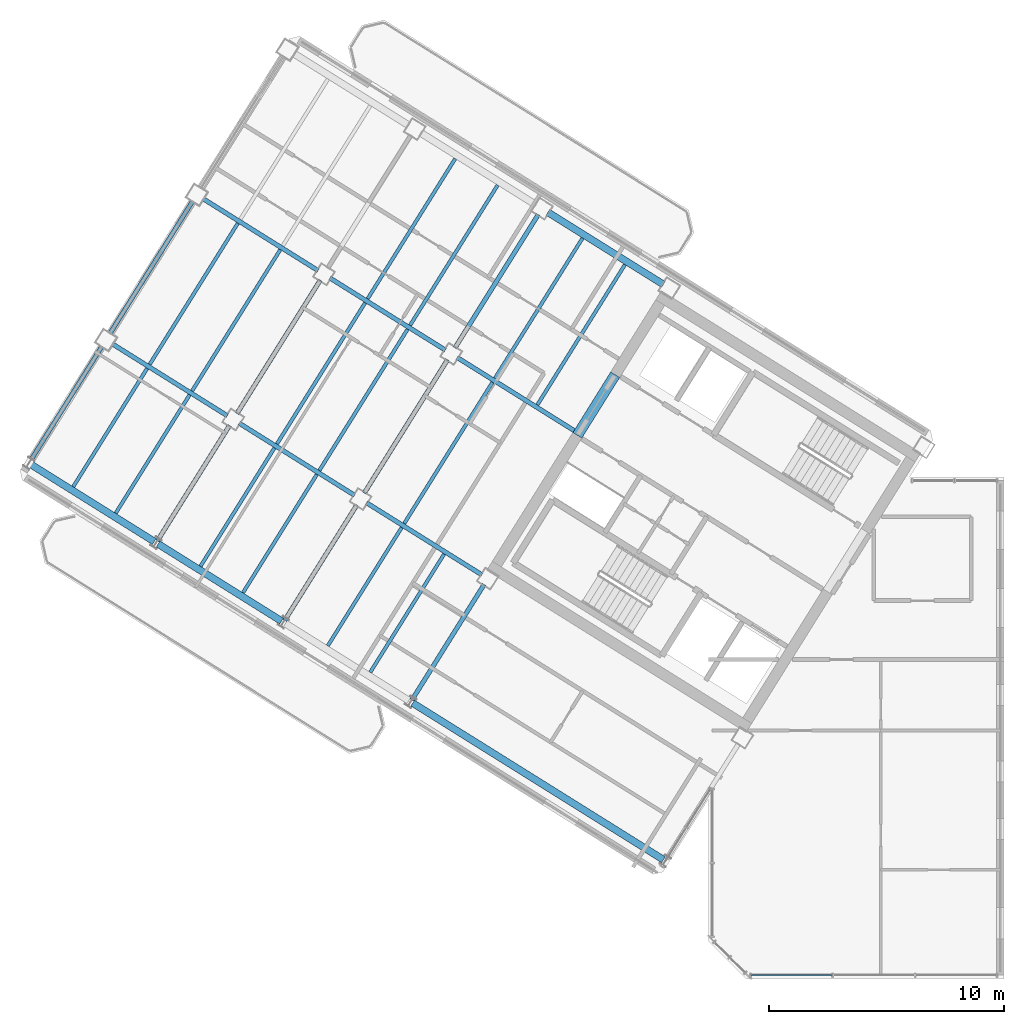
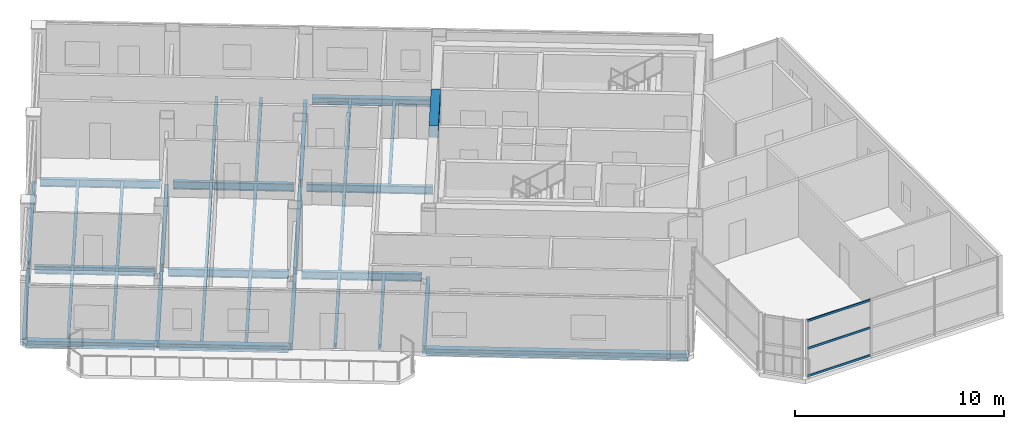
# One storey, part 4 of 17: 34 beams, 3 members, 1 element without a shape of its own.
"""IFC4 building model written with IfcOpenShell, lengths in metres."""

import ifcopenshell
import ifcopenshell.guid

model = None  # the IFC model being written
_history = None  # IfcOwnerHistory: only IFC2X3 demands one
_inside = {}  # id of a spatial element -> (the spatial element, [elements in it])
_under = {}  # id of a project, library or spatial element -> (it, [spatial elements below it])
_declared = {}  # id of a project -> (the project, [libraries it declares])
_typed = {}  # id of a type object -> (the type object, [elements of that type])
_made_of = {}  # id of a material, layer set ... -> (it, [elements and type objects made of it])


def new_model(schema):
    """Start an empty IFC model of exactly this schema.

    Asked for "IFC4X3", IfcOpenShell would pick the latest addendum, in which some entities
    have other attributes; the version numbers below select the first issue.
    IFC2X3 requires an IfcOwnerHistory on every rooted entity: one is made here for all.
    """
    global model, _history
    if schema == "IFC4X3":
        model = ifcopenshell.file(schema_version=(4, 3, 0, 0))
    else:
        model = ifcopenshell.file(schema=schema)
    _inside.clear()
    _under.clear()
    _declared.clear()
    _typed.clear()
    _made_of.clear()
    _history = None
    if model.schema == "IFC2X3":
        org = make("IfcOrganization", Name="unknown")
        user = make(
            "IfcPersonAndOrganization",
            ThePerson=make("IfcPerson", FamilyName="unknown"),
            TheOrganization=org,
        )
        app = make(
            "IfcApplication",
            ApplicationDeveloper=org,
            Version="unknown",
            ApplicationFullName="unknown",
            ApplicationIdentifier="unknown",
        )
        _history = make(
            "IfcOwnerHistory",
            OwningUser=user,
            OwningApplication=app,
            ChangeAction="ADDED",
            CreationDate=0,
        )
    return model


def make(cls, **values):
    """One entity of the class cls with the attributes given. An attribute that is None is left unset."""
    return model.create_entity(
        cls, **{name: value for name, value in values.items() if value is not None}
    )


def rooted(cls, **values):
    """An entity with a GlobalId (a new one), such as an element, a storey or a relation."""
    return make(cls, GlobalId=ifcopenshell.guid.new(), OwnerHistory=_history, **values)


def si_unit(unit_type, name, prefix=None):
    """IfcSIUnit, for example si_unit("LENGTHUNIT", "METRE", prefix="MILLI")."""
    return make("IfcSIUnit", UnitType=unit_type, Prefix=prefix, Name=name)


def assignment(units):
    """IfcUnitAssignment: the units of a project."""
    return None if units is None else make("IfcUnitAssignment", Units=units)


def point(xyz):
    """IfcCartesianPoint."""
    return None if xyz is None else make("IfcCartesianPoint", Coordinates=xyz)


def direction(xyz):
    """IfcDirection."""
    return None if xyz is None else make("IfcDirection", DirectionRatios=xyz)


def frame(location, z_axis=None, x_axis=None):
    """IfcAxis2Placement3D, a coordinate frame: its origin and axes. An axis left out is left unset."""
    return make(
        "IfcAxis2Placement3D",
        Location=point(location),
        Axis=direction(z_axis),
        RefDirection=direction(x_axis),
    )


def frame_2d(location, x_axis=None):
    """IfcAxis2Placement2D, a coordinate frame in the plane: its origin and x axis."""
    return make(
        "IfcAxis2Placement2D", Location=point(location), RefDirection=direction(x_axis)
    )


def origin():
    """The frame at (0, 0, 0) with its axes left unset."""
    return frame((0.0, 0.0, 0.0))


def origin_2d():
    """The frame at (0, 0) in the plane with its x axis left unset."""
    return frame_2d((0.0, 0.0))


def place(relative_to, where):
    """IfcLocalPlacement: puts the frame where relative to a parent placement (None: the world)."""
    return make(
        "IfcLocalPlacement", PlacementRelTo=relative_to, RelativePlacement=where
    )


def context(
    kind, dimensions, precision=None, world=None, true_north=None, identifier=None
):
    """IfcGeometricRepresentationContext, for example the 3D "Model" context."""
    return make(
        "IfcGeometricRepresentationContext",
        ContextIdentifier=identifier,
        ContextType=kind,
        CoordinateSpaceDimension=dimensions,
        Precision=precision,
        WorldCoordinateSystem=world,
        TrueNorth=true_north,
    )


def subcontext(parent, identifier, kind, view, scale=None):
    """IfcGeometricRepresentationSubContext, for example "Body" below "Model"."""
    return make(
        "IfcGeometricRepresentationSubContext",
        ContextIdentifier=identifier,
        ContextType=kind,
        ParentContext=parent,
        TargetScale=scale,
        TargetView=view,
    )


def project(units=None, contexts=None):
    """IfcProject with its units and contexts."""
    return rooted(
        "IfcProject",
        Name="project",
        RepresentationContexts=contexts,
        UnitsInContext=assignment(units),
    )


def spatial(cls, under=None, at=None, **own):
    """A site, building, storey or space (cls), placed at a placement, below another one or the project."""
    s = rooted(cls, ObjectPlacement=at, **own)
    if under is not None:
        _under.setdefault(under.id(), (under, []))[1].append(s)
    return s


def profile(cls, at=None, kind="AREA", **sizes):
    """A parametric profile (cls). Its sizes go by their IFC names, for example OverallWidth=200.0."""
    return make(cls, ProfileType=kind, Position=at, **sizes)


def rectangle(**sizes):
    """IfcRectangleProfileDef."""
    return profile("IfcRectangleProfileDef", **sizes)


def hollow_rectangle(**sizes):
    """IfcRectangleHollowProfileDef."""
    return profile("IfcRectangleHollowProfileDef", **sizes)


def i_section(**sizes):
    """IfcIShapeProfileDef."""
    return profile("IfcIShapeProfileDef", **sizes)


def extrude(swept, where, along, depth):
    """IfcExtrudedAreaSolid: the profile swept, set in the frame where, extruded along a direction by depth."""
    return make(
        "IfcExtrudedAreaSolid",
        SweptArea=swept,
        Position=where,
        ExtrudedDirection=direction(along),
        Depth=depth,
    )


def shape(context_of_items, identifier, shape_type, items):
    """IfcShapeRepresentation: the items that make up one representation, for example the "Body"."""
    return make(
        "IfcShapeRepresentation",
        ContextOfItems=context_of_items,
        RepresentationIdentifier=identifier,
        RepresentationType=shape_type,
        Items=items,
    )


def source(mapping_origin, context_of_items, identifier, shape_type, items):
    """IfcRepresentationMap: a shape defined once, which mapped items show again and again."""
    return make(
        "IfcRepresentationMap",
        MappingOrigin=mapping_origin,
        MappedRepresentation=shape(context_of_items, identifier, shape_type, items),
    )


def transform(
    local_origin,
    x_axis=None,
    y_axis=None,
    z_axis=None,
    scale=None,
    scale2=None,
    scale3=None,
    uniform=True,
):
    """IfcCartesianTransformationOperator3D, or its non-uniform kind. x_axis, y_axis, z_axis: its Axis1, 2, 3."""
    if uniform:
        return make(
            "IfcCartesianTransformationOperator3D",
            Axis1=direction(x_axis),
            Axis2=direction(y_axis),
            LocalOrigin=point(local_origin),
            Scale=scale,
            Axis3=direction(z_axis),
        )
    return make(
        "IfcCartesianTransformationOperator3DnonUniform",
        Axis1=direction(x_axis),
        Axis2=direction(y_axis),
        LocalOrigin=point(local_origin),
        Scale=scale,
        Axis3=direction(z_axis),
        Scale2=scale2,
        Scale3=scale3,
    )


def mapped(mapping_source, mapping_target):
    """IfcMappedItem: shows the shape of a source again, moved by a transform."""
    return make(
        "IfcMappedItem", MappingSource=mapping_source, MappingTarget=mapping_target
    )


def material(Name=None, Category=None):
    """IfcMaterial."""
    return make("IfcMaterial", Name=Name, Category=Category)


def material_profile(
    of_material, cross_section, Name=None, Category=None, Priority=None
):
    """IfcMaterialProfile: a cross section and its material."""
    return make(
        "IfcMaterialProfile",
        Name=Name,
        Material=of_material,
        Profile=cross_section,
        Priority=Priority,
        Category=Category,
    )


def profile_set(profiles, Name=None, composite=None):
    """IfcMaterialProfileSet."""
    return make(
        "IfcMaterialProfileSet",
        Name=Name,
        MaterialProfiles=profiles,
        CompositeProfile=composite,
    )


def made_of(thing, what):
    """Note that an element or type object is made of a material, layer set ...; save() writes the relation."""
    if what is not None:
        _made_of.setdefault(what.id(), (what, []))[1].append(thing)
    return thing


def type_object(cls, material=None, **own):
    """A type object (cls), such as IfcWallType, which elements share."""
    return made_of(rooted(cls, **own), material)


def element(
    cls,
    number,
    at=None,
    inside=None,
    cuts=None,
    type_object=None,
    material=None,
    context=None,
    identifier="Body",
    shape_type=None,
    held_by="IfcProductDefinitionShape",
    body=None,
    shapes=None,
    **own,
):
    """One element of the class cls, such as IfcWall. Its Tag is "e" and its number.

    at: its placement. inside: the storey or other place that contains it. cuts: it is an
    opening in that element (IfcRelVoidsElement). A single representation is given by context,
    identifier, shape_type and body (its items); several are given by shapes. held_by: the class
    of the entity that holds the representations. save() writes the other relations.
    """
    e = rooted(cls, Tag="e%d" % number, ObjectPlacement=at, **own)
    if body is not None:
        shapes = [shape(context, identifier, shape_type, body)]
    if shapes is not None:
        e.Representation = make(held_by, Representations=shapes)
    if inside is not None:
        _inside.setdefault(inside.id(), (inside, []))[1].append(e)
    if cuts is not None:
        rooted(
            "IfcRelVoidsElement", RelatingBuildingElement=cuts, RelatedOpeningElement=e
        )
    if type_object is not None:
        _typed.setdefault(type_object.id(), (type_object, []))[1].append(e)
    return made_of(e, material)


def aggregate(whole, parts):
    """IfcRelAggregates: a whole, such as a stair, and the parts it consists of."""
    return rooted("IfcRelAggregates", RelatingObject=whole, RelatedObjects=parts)


def save(model, path):
    """Write the relations noted so far, then the file.

    IfcRelAggregates (storeys below a building ...), IfcRelContainedInSpatialStructure (elements
    in a storey), IfcRelDefinesByType, IfcRelAssociatesMaterial and IfcRelDeclares: one each for
    every whole, place, type object, material and project.
    """
    for whole, parts in _under.values():
        aggregate(whole, parts)
    for where, things in _inside.values():
        rooted(
            "IfcRelContainedInSpatialStructure",
            RelatedElements=things,
            RelatingStructure=where,
        )
    for kind, things in _typed.values():
        rooted("IfcRelDefinesByType", RelatedObjects=things, RelatingType=kind)
    for what, things in _made_of.values():
        rooted("IfcRelAssociatesMaterial", RelatedObjects=things, RelatingMaterial=what)
    for by, libraries in _declared.values():
        rooted("IfcRelDeclares", RelatingContext=by, RelatedDefinitions=libraries)
    model.write(path)


model = new_model("IFC4")

# Units and contexts
model_context = context("Model", 3, precision=1e-05, world=origin(), true_north=direction((0.0, 1.0)))
body_context = subcontext(model_context, "Body", "Model", "MODEL_VIEW")
ifc_project = project(units=[si_unit("LENGTHUNIT", "METRE"), si_unit("AREAUNIT", "SQUARE_METRE"), si_unit("VOLUMEUNIT", "CUBIC_METRE"), si_unit("PLANEANGLEUNIT", "RADIAN"), si_unit("MASSUNIT", "GRAM", prefix="KILO")], contexts=[model_context])

# Site, building, storey
site_placement = place(None, origin())
site = spatial("IfcSite", under=ifc_project, at=site_placement, CompositionType="ELEMENT")
building_placement = place(site_placement, origin())
building = spatial("IfcBuilding", under=site, at=building_placement, Name="Tlacorven Tower", CompositionType="ELEMENT")
storey_placement = place(building_placement, frame((0.0, 0.0, 277.199951171875)))
storey = spatial("IfcBuildingStorey", under=building, at=storey_placement, Name="L70", CompositionType="ELEMENT", Elevation=277.199951171875)

# Beams
ifc_material_1 = material(Name="Concrete C60/75", Category="concrete")
ifc_material_profile_1 = material_profile(ifc_material_1, rectangle(XDim=0.449951171875, YDim=0.699951171875, at=origin_2d()), Name="RC 450X700")
ifc_profile_set_1 = profile_set([ifc_material_profile_1], Name="Concrete C60/75")
beam_type_1 = type_object("IfcBeamType", Name="BM-LNT-700", PredefinedType="LINTEL", material=ifc_profile_set_1)
shared_shape_1 = source(origin(), body_context, "Body", "SweptSolid", [
    extrude(rectangle(XDim=0.449951171875, YDim=0.699951171875, at=origin_2d()), origin(), (0.0, 0.0, 1.0), 3.0498046875),
])
beam_1_placement = place(storey_placement, frame((27.622802734375, 27.562255859375, 3.0), z_axis=(-0.529926983584, -0.848043272522, 0.0), x_axis=(0.848043272522, -0.529926983584, 0.0)))
element("IfcBeam", 1, at=beam_1_placement, inside=storey, type_object=beam_type_1, Name="L70 W core coupling lintel beam E2", PredefinedType="LINTEL", context=body_context, shape_type="MappedRepresentation", body=[
    mapped(shared_shape_1, transform((0.0, 0.0, 0.0), scale=1.0)),
])
ifc_material_2 = material(Name="Steel S355J2", Category="steel")
ifc_material_profile_2 = material_profile(ifc_material_2, i_section(OverallWidth=0.300048828125, OverallDepth=0.389892578125, WebThickness=0.010986328125, FlangeThickness=0.01904296875, at=origin_2d()), Name="HEA 400")
ifc_profile_set_2 = profile_set([ifc_material_profile_2], Name="Steel S355J2")
beam_type_2 = type_object("IfcBeamType", Name="BM-SPN-400", PredefinedType="SPANDREL", material=ifc_profile_set_2)
shared_shape_2 = source(origin(), body_context, "Body", "SweptSolid", [
    extrude(i_section(OverallWidth=0.300048828125, OverallDepth=0.389892578125, WebThickness=0.010986328125, FlangeThickness=0.01904296875, at=origin_2d()), origin(), (0.0, 0.0, 1.0), 12.599853515625),
])
beam_2_placement = place(storey_placement, frame((29.67578125, 6.882080078125, -0.445068359375), z_axis=(-0.848045108756, 0.529924045043, 0.0), x_axis=(-0.529924045043, -0.848045108756, 0.0)))
element("IfcBeam", 2, at=beam_2_placement, inside=storey, type_object=beam_type_2, Name="L70 beam BM-L70-WL4-1", PredefinedType="SPANDREL", context=body_context, shape_type="MappedRepresentation", body=[
    mapped(shared_shape_2, transform((0.0, 0.0, 0.0), scale=1.0)),
])
shared_shape_3 = source(origin(), body_context, "Body", "SweptSolid", [
    extrude(i_section(OverallWidth=0.300048828125, OverallDepth=0.389892578125, WebThickness=0.010986328125, FlangeThickness=0.01904296875, at=origin_2d()), origin(), (0.0, 0.0, 1.0), 6.199951171875),
])
for number, where, z_axis, x_axis, name in (
    (3, (13.393310546875, 17.056396484375, -0.445068359375), (-0.848033697614, 0.529942306022, 0.0), (-0.529942306022, -0.848033697614, 0.0), "L70 beam BM-L70-WL4-4"),
    (4, (7.9658203125, 20.447998046875, -0.445068359375), (-0.848051394107, 0.529913986372, 0.0), (-0.529913986372, -0.848051394107, 0.0), "L70 beam BM-L70-WL4-5"),
):
    element("IfcBeam", number, at=place(storey_placement, frame(where, z_axis=z_axis, x_axis=x_axis)), inside=storey, type_object=beam_type_2, Name=name, PredefinedType="SPANDREL", context=body_context, shape_type="MappedRepresentation", body=[
        mapped(shared_shape_3, transform((0.0, 0.0, 0.0), scale=1.0)),
    ])
shared_shape_4 = source(origin(), body_context, "Body", "SweptSolid", [
    extrude(i_section(OverallWidth=0.300048828125, OverallDepth=0.389892578125, WebThickness=0.010986328125, FlangeThickness=0.01904296875, at=origin_2d()), origin(), (0.0, 0.0, 1.0), 5.800048828125),
])
beam_3_placement = place(storey_placement, frame((29.673583984375, 31.410400390625, -0.445068359375), z_axis=(-0.848052689693, 0.529911912967, 0.0), x_axis=(-0.529911912967, -0.848052689693, 0.0)))
element("IfcBeam", 5, at=beam_3_placement, inside=storey, type_object=beam_type_2, Name="L70 beam BM-L70-WL1-3", PredefinedType="SPANDREL", context=body_context, shape_type="MappedRepresentation", body=[
    mapped(shared_shape_4, transform((0.0, 0.0, 0.0), scale=1.0)),
])
ifc_material_profile_3 = material_profile(ifc_material_2, i_section(OverallWidth=0.14990234375, OverallDepth=0.300048828125, WebThickness=0.007080078125, FlangeThickness=0.0107421875, at=origin_2d()), Name="IPE 300")
ifc_profile_set_3 = profile_set([ifc_material_profile_3], Name="Steel S355J2")
beam_type_3 = type_object("IfcBeamType", Name="BM-JST-300", PredefinedType="JOIST", material=ifc_profile_set_3)
shared_shape_5 = source(origin(), body_context, "Body", "SweptSolid", [
    extrude(i_section(OverallWidth=0.14990234375, OverallDepth=0.300048828125, WebThickness=0.007080078125, FlangeThickness=0.0107421875, at=origin_2d()), origin(), (0.0, 0.0, 1.0), 7.10009765625),
])
for number, where, z_axis, x_axis, name in (
    (6, (22.38818359375, 27.23681640625, -0.39990234375), (-0.529915484902, -0.848050457733, 0.0), (0.848050457733, -0.529915484902, 0.0), "L70 beam BM-L70-WJ3-2-2"),
    (7, (11.533203125, 34.019775390625, -0.39990234375), (-0.529915484902, -0.848050457733, 0.0), (0.848050457733, -0.529915484902, 0.0), "L70 beam BM-L70-WJ5-2-2"),
):
    element("IfcBeam", number, at=place(storey_placement, frame(where, z_axis=z_axis, x_axis=x_axis)), inside=storey, type_object=beam_type_3, Name=name, PredefinedType="JOIST", context=body_context, shape_type="MappedRepresentation", body=[
        mapped(shared_shape_5, transform((0.0, 0.0, 0.0), scale=1.0)),
    ])
shared_shape_6 = source(origin(), body_context, "Body", "SweptSolid", [
    extrude(i_section(OverallWidth=0.14990234375, OverallDepth=0.300048828125, WebThickness=0.007080078125, FlangeThickness=0.0107421875, at=origin_2d()), origin(), (0.0, 0.0, 1.0), 7.099853515625),
])
for number, where, z_axis, x_axis, name in (
    (8, (18.769775390625, 29.497802734375, -0.39990234375), (-0.529890754507, -0.848065910344, 0.0), (0.848065910344, -0.529890754507, 0.0), "L70 beam BM-L70-WJ4-2-1"),
    (9, (16.960693359375, 30.628173828125, -0.39990234375), (-0.529930937954, -0.848040801494, 0.0), (0.848040801494, -0.529930937954, 0.0), "L70 beam BM-L70-WJ4-2-2"),
    (10, (13.34228515625, 32.88916015625, -0.39990234375), (-0.529930937954, -0.848040801494, 0.0), (0.848040801494, -0.529930937954, 0.0), "L70 beam BM-L70-WJ5-2-1"),
):
    element("IfcBeam", number, at=place(storey_placement, frame(where, z_axis=z_axis, x_axis=x_axis)), inside=storey, type_object=beam_type_3, Name=name, PredefinedType="JOIST", context=body_context, shape_type="MappedRepresentation", body=[
        mapped(shared_shape_6, transform((0.0, 0.0, 0.0), scale=1.0)),
    ])
shared_shape_7 = source(origin(), body_context, "Body", "SweptSolid", [
    extrude(i_section(OverallWidth=0.14990234375, OverallDepth=0.300048828125, WebThickness=0.007080078125, FlangeThickness=0.0107421875, at=origin_2d()), origin(), (0.0, 0.0, 1.0), 7.044921875),
])
for number, where, z_axis, x_axis, name in (
    (11, (28.03662109375, 32.25048828125, -0.39990234375), (-0.529899256491, -0.848060598053, 0.0), (0.848060598053, -0.529899256491, 0.0), "L70 beam BM-L70-WJ3-1-1"),
    (12, (26.2275390625, 33.380859375, -0.39990234375), (-0.529939753148, -0.848035292917, 0.0), (0.848035292917, -0.529939753148, 0.0), "L70 beam BM-L70-WJ3-1-2"),
    (13, (22.609130859375, 35.641845703125, -0.39990234375), (-0.52991483005, -0.848050866925, 0.0), (0.848050866925, -0.52991483005, 0.0), "L70 beam BM-L70-WJ4-1-1"),
):
    element("IfcBeam", number, at=place(storey_placement, frame(where, z_axis=z_axis, x_axis=x_axis)), inside=storey, type_object=beam_type_3, Name=name, PredefinedType="JOIST", context=body_context, shape_type="MappedRepresentation", body=[
        mapped(shared_shape_7, transform((0.0, 0.0, 0.0), scale=1.0)),
    ])
shared_shape_8 = source(origin(), body_context, "Body", "SweptSolid", [
    extrude(i_section(OverallWidth=0.14990234375, OverallDepth=0.300048828125, WebThickness=0.007080078125, FlangeThickness=0.0107421875, at=origin_2d()), origin(), (0.0, 0.0, 1.0), 5.945068359375),
])
for number, where, z_axis, x_axis, name in (
    (14, (20.3291015625, 19.91552734375, -0.39990234375), (-0.529914037113, -0.848051362401, 0.0), (0.848051362401, -0.529914037113, 0.0), "L70 beam BM-L70-WJ3-3-1"),
    (15, (18.519775390625, 21.046142578125, -0.39990234375), (-0.529914037113, -0.848051362401, 0.0), (0.848051362401, -0.529914037113, 0.0), "L70 beam BM-L70-WJ3-3-2"),
    (16, (14.9013671875, 23.30712890625, -0.39990234375), (-0.529884501938, -0.848069817059, 0.0), (0.848069817059, -0.529884501938, 0.0), "L70 beam BM-L70-WJ4-3-1"),
    (17, (9.473876953125, 26.698486328125, -0.39990234375), (-0.529914037113, -0.848051362401, 0.0), (0.848051362401, -0.529914037113, 0.0), "L70 beam BM-L70-WJ5-3-1"),
    (18, (7.664794921875, 27.8291015625, -0.39990234375), (-0.529914037113, -0.848051362401, 0.0), (0.848051362401, -0.529914037113, 0.0), "L70 beam BM-L70-WJ5-3-2"),
):
    element("IfcBeam", number, at=place(storey_placement, frame(where, z_axis=z_axis, x_axis=x_axis)), inside=storey, type_object=beam_type_3, Name=name, PredefinedType="JOIST", context=body_context, shape_type="MappedRepresentation", body=[
        mapped(shared_shape_8, transform((0.0, 0.0, 0.0), scale=1.0)),
    ])
shared_shape_9 = source(origin(), body_context, "Body", "SweptSolid", [
    extrude(i_section(OverallWidth=0.14990234375, OverallDepth=0.300048828125, WebThickness=0.007080078125, FlangeThickness=0.0107421875, at=origin_2d()), origin(), (0.0, 0.0, 1.0), 7.045166015625),
])
beam_4_placement = place(storey_placement, frame((20.800048828125, 36.7724609375, -0.39990234375), z_axis=(-0.529924179428, -0.848045024782, 0.0), x_axis=(0.848045024782, -0.529924179428, 0.0)))
element("IfcBeam", 19, at=beam_4_placement, inside=storey, type_object=beam_type_3, Name="L70 beam BM-L70-WJ4-1-2", PredefinedType="JOIST", context=body_context, shape_type="MappedRepresentation", body=[
    mapped(shared_shape_9, transform((0.0, 0.0, 0.0), scale=1.0)),
])
shared_shape_10 = source(origin(), body_context, "Body", "SweptSolid", [
    extrude(i_section(OverallWidth=0.14990234375, OverallDepth=0.300048828125, WebThickness=0.007080078125, FlangeThickness=0.0107421875, at=origin_2d()), origin(), (0.0, 0.0, 1.0), 5.94482421875),
])
beam_5_placement = place(storey_placement, frame((13.09228515625, 24.4375, -0.39990234375), z_axis=(-0.529932492401, -0.848039830136, 0.0), x_axis=(0.848039830136, -0.529932492401, 0.0)))
element("IfcBeam", 20, at=beam_5_placement, inside=storey, type_object=beam_type_3, Name="L70 beam BM-L70-WJ4-3-2", PredefinedType="JOIST", context=body_context, shape_type="MappedRepresentation", body=[
    mapped(shared_shape_10, transform((0.0, 0.0, 0.0), scale=1.0)),
])
ifc_material_profile_4 = material_profile(ifc_material_2, i_section(OverallWidth=0.18994140625, OverallDepth=0.449951171875, WebThickness=0.009521484375, FlangeThickness=0.0146484375, at=origin_2d()), Name="IPE 450")
ifc_profile_set_4 = profile_set([ifc_material_profile_4], Name="Steel S355J2")
beam_type_4 = type_object("IfcBeamType", Name="BM-TWR-450", PredefinedType="BEAM", material=ifc_profile_set_4)
shared_shape_11 = source(origin(), body_context, "Body", "SweptSolid", [
    extrude(i_section(OverallWidth=0.18994140625, OverallDepth=0.449951171875, WebThickness=0.009521484375, FlangeThickness=0.0146484375, at=origin_2d()), origin(), (0.0, 0.0, 1.0), 6.06005859375),
])
beam_6_placement = place(storey_placement, frame((26.025634765625, 25.081787109375, -0.474853515625), z_axis=(-0.848039041052, 0.529933755154, 0.0), x_axis=(-0.529933755154, -0.848039041052, 0.0)))
element("IfcBeam", 21, at=beam_6_placement, inside=storey, type_object=beam_type_4, Name="L70 beam BM-L70-WL2-3", PredefinedType="BEAM", context=body_context, shape_type="MappedRepresentation", body=[
    mapped(shared_shape_11, transform((0.0, 0.0, 0.0), scale=1.0)),
])
shared_shape_12 = source(origin(), body_context, "Body", "SweptSolid", [
    extrude(i_section(OverallWidth=0.18994140625, OverallDepth=0.449951171875, WebThickness=0.009521484375, FlangeThickness=0.0146484375, at=origin_2d()), origin(), (0.0, 0.0, 1.0), 5.800048828125),
])
for number, where, z_axis, x_axis, name in (
    (22, (20.377685546875, 28.611083984375, -0.474853515625), (-0.848052689693, 0.529911912967, 0.0), (-0.529911912967, -0.848052689693, 0.0), "L70 beam BM-L70-WL2-4"),
    (23, (14.9501953125, 32.00244140625, -0.474853515625), (-0.848033773154, 0.52994218514, 0.0), (-0.52994218514, -0.848033773154, 0.0), "L70 beam BM-L70-WL2-5"),
    (24, (21.936767578125, 19.02880859375, -0.474853515625), (-0.848052689693, 0.529911912967, 0.0), (-0.529911912967, -0.848052689693, 0.0), "L70 beam BM-L70-WL3-3"),
    (25, (16.50927734375, 22.42041015625, -0.474853515625), (-0.848052689693, 0.529911912967, 0.0), (-0.529911912967, -0.848052689693, 0.0), "L70 beam BM-L70-WL3-4"),
    (26, (11.081787109375, 25.811767578125, -0.474853515625), (-0.848052689693, 0.529911912967, 0.0), (-0.529911912967, -0.848052689693, 0.0), "L70 beam BM-L70-WL3-5"),
    (27, (22.0322265625, 18.615478515625, -0.474853515625), (-0.52994218514, -0.848033773154, 0.0), (0.848033773154, -0.52994218514, 0.0), "L70 beam BM-L70-WT3-2"),
    (28, (16.604736328125, 22.0068359375, -0.474853515625), (-0.52994218514, -0.848033773154, 0.0), (0.848033773154, -0.52994218514, 0.0), "L70 beam BM-L70-WT4-3"),
    (29, (11.17724609375, 25.3984375, -0.474853515625), (-0.52994218514, -0.848033773154, 0.0), (0.848033773154, -0.52994218514, 0.0), "L70 beam BM-L70-WT5-3"),
    (30, (5.74951171875, 28.789794921875, -0.474853515625), (-0.529911912967, -0.848052689693, 0.0), (0.848052689693, -0.529911912967, 0.0), "L70 beam BM-L70-WT6-3"),
):
    element("IfcBeam", number, at=place(storey_placement, frame(where, z_axis=z_axis, x_axis=x_axis)), inside=storey, type_object=beam_type_4, Name=name, PredefinedType="BEAM", context=body_context, shape_type="MappedRepresentation", body=[
        mapped(shared_shape_12, transform((0.0, 0.0, 0.0), scale=1.0)),
    ])
shared_shape_13 = source(origin(), body_context, "Body", "SweptSolid", [
    extrude(i_section(OverallWidth=0.18994140625, OverallDepth=0.449951171875, WebThickness=0.009521484375, FlangeThickness=0.0146484375, at=origin_2d()), origin(), (0.0, 0.0, 1.0), 6.699951171875),
])
for number, where, z_axis, x_axis, name in (
    (31, (24.341552734375, 34.388427734375, -0.474853515625), (-0.529930154818, -0.848041290867, 0.0), (0.848041290867, -0.529930154818, 0.0), "L70 beam BM-L70-WT4-1"),
    (32, (20.47314453125, 28.19775390625, -0.474853515625), (-0.529930154818, -0.848041290867, 0.0), (0.848041290867, -0.529930154818, 0.0), "L70 beam BM-L70-WT4-2"),
    (33, (15.045654296875, 31.589111328125, -0.474853515625), (-0.529930154818, -0.848041290867, 0.0), (0.848041290867, -0.529930154818, 0.0), "L70 beam BM-L70-WT5-2"),
    (34, (9.617919921875, 34.980712890625, -0.474853515625), (-0.529903948186, -0.848057666493, 0.0), (0.848057666493, -0.529903948186, 0.0), "L70 beam BM-L70-WT6-2"),
):
    element("IfcBeam", number, at=place(storey_placement, frame(where, z_axis=z_axis, x_axis=x_axis)), inside=storey, type_object=beam_type_4, Name=name, PredefinedType="BEAM", context=body_context, shape_type="MappedRepresentation", body=[
        mapped(shared_shape_13, transform((0.0, 0.0, 0.0), scale=1.0)),
    ])

# Curtain wall, members
ifc_material_3 = material(Name="Dark solar low-E double glazing in aluminium frame", Category="aluminium")
curtain_wall_type = type_object("IfcCurtainWallType", Name="CW-TWR-HIGH", PredefinedType="USERDEFINED", material=ifc_material_3)
curtain_wall_placement = place(storey_placement, origin())
curtain_wall = element("IfcCurtainWall", 35, at=curtain_wall_placement, inside=storey, type_object=curtain_wall_type, Name="L70 CW-TWR-HIGH Curtain Wall 324", ObjectType="UNITISED CURTAIN WALL", PredefinedType="USERDEFINED")
ifc_material_4 = material(Name="Aluminium 6063-T6 anodised", Category="aluminium")
ifc_material_profile_5 = material_profile(ifc_material_4, hollow_rectangle(XDim=0.054931640625, YDim=0.1201171875, WallThickness=0.00341796875, at=origin_2d()), Name="ALU TRANSOM 55X120")
ifc_profile_set_5 = profile_set([ifc_material_profile_5], Name="Aluminium 6063-T6 anodised")
member_type = type_object("IfcMemberType", Name="CWT-03", PredefinedType="USERDEFINED", material=ifc_profile_set_5)
shared_shape_14 = source(origin(), body_context, "Body", "SweptSolid", [
    extrude(hollow_rectangle(XDim=0.054931640625, YDim=0.1201171875, WallThickness=0.00341796875, at=origin_2d()), origin(), (0.0, 0.0, 1.0), 3.45849609375),
])
member_1_placement = place(storey_placement, frame((36.872802734375, 1.9599609375, 0.06005859375), z_axis=(-1.0, 0.0, 0.0), x_axis=(0.0, -1.0, 0.0)))
member_1 = element("IfcMember", 36, at=member_1_placement, type_object=member_type, Name="CW-L70-324 Transom 7", ObjectType="TRANSOM", PredefinedType="USERDEFINED", context=body_context, shape_type="MappedRepresentation", body=[
    mapped(shared_shape_14, transform((0.0, 0.0, 0.0), scale=1.0)),
])
member_2_placement = place(storey_placement, frame((36.872802734375, 1.9599609375, 1.675048828125), z_axis=(-1.0, 0.0, 0.0), x_axis=(0.0, -1.0, 0.0)))
member_2 = element("IfcMember", 37, at=member_2_placement, type_object=member_type, Name="CW-L70-324 Transom 8", ObjectType="TRANSOM", PredefinedType="USERDEFINED", context=body_context, shape_type="MappedRepresentation", body=[
    mapped(shared_shape_14, transform((0.0, 0.0, 0.0), scale=1.0)),
])
member_3_placement = place(storey_placement, frame((36.872802734375, 1.9599609375, 3.2900390625), z_axis=(-1.0, 0.0, 0.0), x_axis=(0.0, -1.0, 0.0)))
member_3 = element("IfcMember", 38, at=member_3_placement, type_object=member_type, Name="CW-L70-324 Transom 9", ObjectType="TRANSOM", PredefinedType="USERDEFINED", context=body_context, shape_type="MappedRepresentation", body=[
    mapped(shared_shape_14, transform((0.0, 0.0, 0.0), scale=1.0)),
])
aggregate(curtain_wall, [member_1, member_2, member_3])

save(model, "model.ifc")
